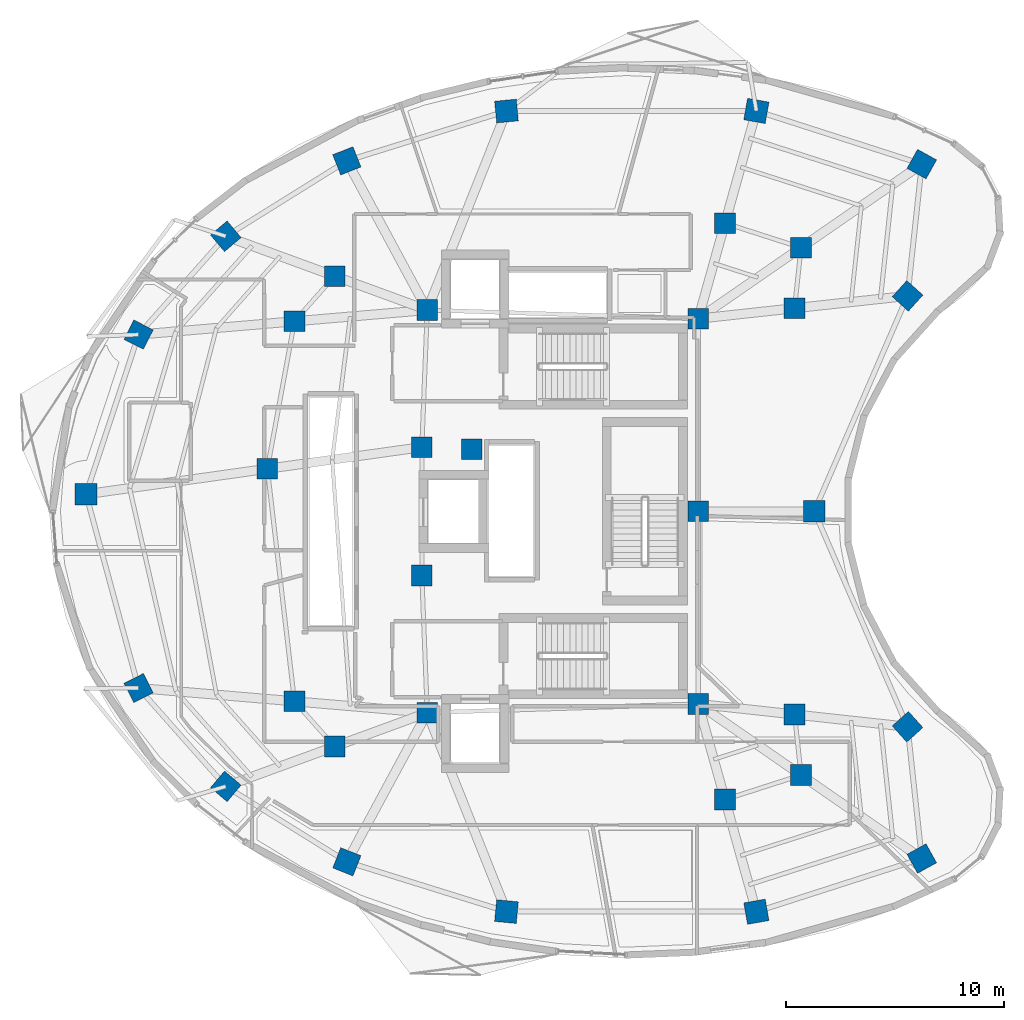
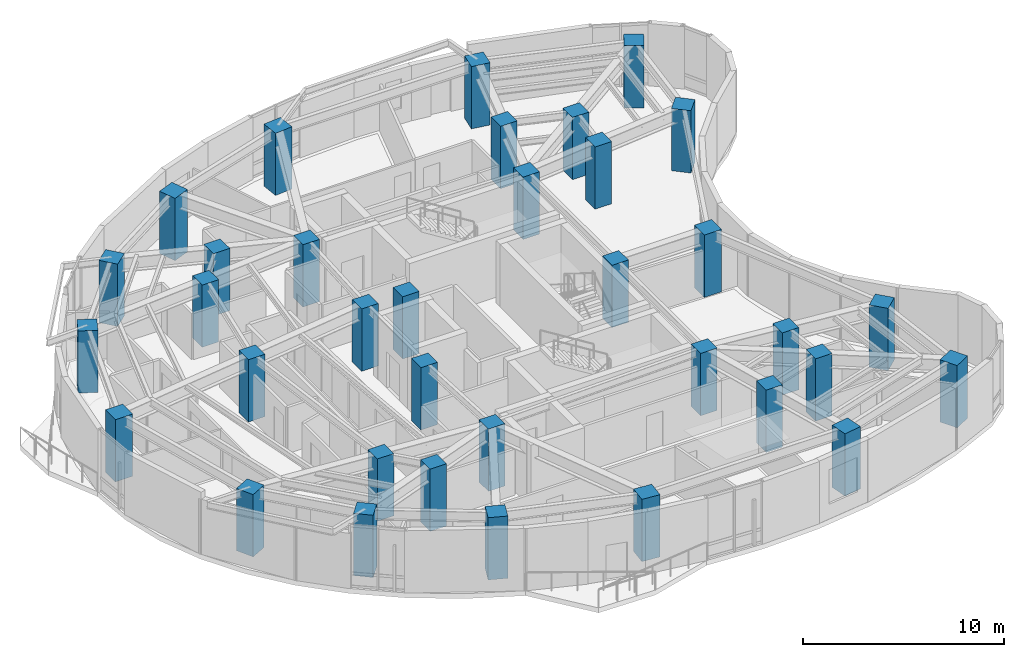
# One storey, part 1 of 13: 35 columns.
"""IFC4 building model written with IfcOpenShell, lengths in metres."""

from ifc_helpers import new_model, si_unit, direction, frame, origin, origin_2d, place, context, subcontext, project, spatial, rectangle, extrude, material, material_profile, profile_set, type_object, element, save


model = new_model("IFC4")

# Units and contexts
model_context = context("Model", 3, precision=1e-05, world=origin(), true_north=direction((0.0, 1.0)))
body_context = subcontext(model_context, "Body", "Model", "MODEL_VIEW")
ifc_project = project(units=[si_unit("LENGTHUNIT", "METRE"), si_unit("AREAUNIT", "SQUARE_METRE"), si_unit("VOLUMEUNIT", "CUBIC_METRE"), si_unit("PLANEANGLEUNIT", "RADIAN"), si_unit("MASSUNIT", "GRAM", prefix="KILO")], contexts=[model_context])

# Site, building, storey
site_placement = place(None, origin())
site = spatial("IfcSite", under=ifc_project, at=site_placement, CompositionType="ELEMENT")
building_placement = place(site_placement, origin())
building = spatial("IfcBuilding", under=site, at=building_placement, Name="Korentha Bioscience Tower", CompositionType="ELEMENT")
storey_placement = place(building_placement, frame((0.0, 0.0, 162.60009765625)))
storey = spatial("IfcBuildingStorey", under=building, at=storey_placement, Name="L37", CompositionType="ELEMENT", Elevation=162.60009765625)

# Columns
ifc_material = material(Name="Concrete C65", Category="concrete")
ifc_material_profile_1 = material_profile(ifc_material, rectangle(XDim=0.949951171875, YDim=0.949951171875, at=origin_2d()), Name="Concrete C65")
ifc_profile_set_1 = profile_set([ifc_material_profile_1], Name="Concrete C65 (COL-CP09)")
column_type_1 = type_object("IfcColumnType", Name="Core Pilaster Column RC 950x950", PredefinedType="PILASTER", material=ifc_profile_set_1)
for number, where, z_axis, x_axis, name in (
    (1, (37.550048828125, 35.85009765625, -0.00048828125), (0.0, 0.0, 1.0), (1.0, 0.0, 0.0), "L37 Core Pilaster CP-01"),
    (2, (25.10009765625, 36.25, -0.00048828125), (0.0, 0.0, 1.0), (1.0, 0.0, 0.0), "L37 Core Pilaster CP-02"),
    (3, (24.85009765625, 29.949951171875, -0.00048828125), (0.0, 0.0, 1.0), (1.0, 0.0, 0.0), "L37 Core Pilaster CP-03"),
    (4, (27.14990234375, 29.85009765625, -0.00048828125), (0.0, 0.0, 1.0), (1.0, 0.0, 0.0), "L37 Core Pilaster CP-04"),
    (5, (24.85009765625, 24.050048828125, -0.00048828125), (0.0, 0.0, 1.0), (1.0, 0.0, 0.0), "L37 Core Pilaster CP-05"),
    (6, (25.10009765625, 17.75, -0.00048828125), (0.0, 0.0, 1.0), (1.0, 0.0, 0.0), "L37 Core Pilaster CP-06"),
    (7, (37.550048828125, 18.14990234375, -0.00048828125), (0.0, 0.0, 1.0), (1.0, 0.0, 0.0), "L37 Core Pilaster CP-07"),
    (8, (37.550048828125, 27.0, -0.00048828125), (0.0, 0.0, 1.0), (1.0, 0.0, 0.0), "L37 Core Pilaster CP-08"),
):
    element("IfcColumn", number, at=place(storey_placement, frame(where, z_axis=z_axis, x_axis=x_axis)), inside=storey, type_object=column_type_1, Name=name, PredefinedType="PILASTER", context=body_context, shape_type="SweptSolid", body=[
        extrude(rectangle(XDim=0.949951171875, YDim=0.949951171875, at=origin_2d()), origin(), (0.0, 0.0, 1.0), 3.790771484375),
    ])
ifc_material_profile_2 = material_profile(ifc_material, rectangle(XDim=0.949951171875, YDim=0.949951171875, at=origin_2d()), Name="Concrete C65")
ifc_profile_set_2 = profile_set([ifc_material_profile_2], Name="Concrete C65 (COL-MR09)")
column_type_2 = type_object("IfcColumnType", Name="Mid-Ring Lab Column RC 950x950", PredefinedType="COLUMN", material=ifc_profile_set_2)
for number, where, z_axis, x_axis, name in (
    (9, (42.274658203125, 39.1171875, -0.00048828125), (0.0, 0.0, 1.0), (1.0, 0.0, 0.0), "L37 Mid-Ring Column 01"),
    (10, (38.77880859375, 40.2412109375, -0.00048828125), (0.0, 0.0, 1.0), (1.0, 0.0, 0.0), "L37 Mid-Ring Column 02"),
    (11, (20.84228515625, 37.807861328125, -0.00048828125), (0.0, 0.0, 1.0), (1.0, 0.0, 0.0), "L37 Mid-Ring Column 05"),
    (12, (18.99951171875, 35.72998046875, -0.00048828125), (0.0, 0.0, 1.0), (1.0, 0.0, 0.0), "L37 Mid-Ring Column 06"),
    (13, (17.75341796875, 28.95458984375, -0.00048828125), (0.0, 0.0, 1.0), (1.0, 0.0, 0.0), "L37 Mid-Ring Column 07"),
    (14, (18.99951171875, 18.27001953125, -0.00048828125), (0.0, 0.0, 1.0), (1.0, 0.0, 0.0), "L37 Mid-Ring Column 08"),
    (15, (20.84228515625, 16.192138671875, -0.00048828125), (0.0, 0.0, 1.0), (1.0, 0.0, 0.0), "L37 Mid-Ring Column 09"),
    (16, (38.77880859375, 13.7587890625, -0.00048828125), (0.0, 0.0, 1.0), (1.0, 0.0, 0.0), "L37 Mid-Ring Column 12"),
    (17, (42.274658203125, 14.8828125, -0.00048828125), (0.0, 0.0, 1.0), (1.0, 0.0, 0.0), "L37 Mid-Ring Column 13"),
    (18, (41.97412109375, 17.66796875, -0.00048828125), (0.0, 0.0, 1.0), (1.0, 0.0, 0.0), "L37 Mid-Ring Column 14"),
    (19, (41.97412109375, 36.33203125, -0.00048828125), (0.0, 0.0, 1.0), (1.0, 0.0, 0.0), "L37 Mid-Ring Column 16"),
):
    element("IfcColumn", number, at=place(storey_placement, frame(where, z_axis=z_axis, x_axis=x_axis)), inside=storey, type_object=column_type_2, Name=name, PredefinedType="COLUMN", context=body_context, shape_type="SweptSolid", body=[
        extrude(rectangle(XDim=0.949951171875, YDim=0.949951171875, at=origin_2d()), origin(), (0.0, 0.0, 1.0), 3.790771484375),
    ])
ifc_material_profile_3 = material_profile(ifc_material, rectangle(XDim=1.0, YDim=1.0, at=origin_2d()), Name="Concrete C65")
ifc_profile_set_3 = profile_set([ifc_material_profile_3], Name="Concrete C65 (COL-P10)")
column_type_3 = type_object("IfcColumnType", Name="Perimeter Column RC 1000x1000", PredefinedType="COLUMN", material=ifc_profile_set_3)
for number, where, z_axis, x_axis, name in (
    (20, (47.821044921875, 42.95263671875, -0.00048828125), (0.0, 0.0, 1.0), (-0.874535078577, 0.484962262797, 0.0), "L37 Perimeter Column 01"),
    (21, (40.22119140625, 45.39599609375, -0.00048828125), (0.0, 0.0, 1.0), (-0.984868307662, 0.173304404339, 0.0), "L37 Perimeter Column 02"),
    (22, (28.739501953125, 45.390380859375, -0.00048828125), (0.0, 0.0, 1.0), (0.995462868748, 0.095150811579, 0.0), "L37 Perimeter Column 03"),
    (23, (21.405517578125, 43.102783203125, -0.00048828125), (0.0, 0.0, 1.0), (0.930225540858, 0.366988341962, 0.0), "L37 Perimeter Column 04"),
    (24, (15.843994140625, 39.63671875, -0.00048828125), (0.0, 0.0, 1.0), (0.764246456939, 0.644924300253, 0.0), "L37 Perimeter Column 05"),
    (25, (11.837890625, 35.119384765625, -0.00048828125), (0.0, 0.0, 1.0), (0.453057191132, 0.891481453292, 0.0), "L37 Perimeter Column 06"),
    (26, (9.422607421875, 27.785888671875, -0.00048828125), (0.0, 0.0, 1.0), (0.0, 1.0, 0.0), "L37 Perimeter Column 07"),
    (27, (11.837890625, 18.880615234375, -0.00048828125), (0.0, 0.0, 1.0), (-0.453057191132, 0.891481453292, 0.0), "L37 Perimeter Column 08"),
    (28, (15.843994140625, 14.36328125, -0.00048828125), (0.0, 0.0, 1.0), (-0.764246456939, 0.644924300253, 0.0), "L37 Perimeter Column 09"),
    (29, (21.405517578125, 10.897216796875, -0.00048828125), (0.0, 0.0, 1.0), (-0.930225540858, 0.366988341962, 0.0), "L37 Perimeter Column 10"),
    (30, (28.739501953125, 8.609619140625, -0.00048828125), (0.0, 0.0, 1.0), (-0.995462868748, 0.095150811579, 0.0), "L37 Perimeter Column 11"),
    (31, (40.22119140625, 8.60400390625, -0.00048828125), (0.0, 0.0, 1.0), (0.984868307662, 0.173304404339, 0.0), "L37 Perimeter Column 12"),
    (32, (47.821044921875, 11.04736328125, -0.00048828125), (0.0, 0.0, 1.0), (0.874535078577, 0.484962262797, 0.0), "L37 Perimeter Column 13"),
    (33, (47.16748046875, 17.10205078125, -0.00048828125), (0.0, 0.0, 1.0), (-0.669130606359, 0.743144825477, 0.0), "L37 Perimeter Column 14"),
    (34, (42.8818359375, 27.0, -0.00048828125), (0.0, 0.0, 1.0), (0.0, 1.0, 0.0), "L37 Perimeter Column 15"),
    (35, (47.16748046875, 36.89794921875, -0.00048828125), (0.0, 0.0, 1.0), (0.669130606359, 0.743144825477, 0.0), "L37 Perimeter Column 16"),
):
    element("IfcColumn", number, at=place(storey_placement, frame(where, z_axis=z_axis, x_axis=x_axis)), inside=storey, type_object=column_type_3, Name=name, PredefinedType="COLUMN", context=body_context, shape_type="SweptSolid", body=[
        extrude(rectangle(XDim=1.0, YDim=1.0, at=origin_2d()), origin(), (0.0, 0.0, 1.0), 3.790771484375),
    ])

save(model, "model.ifc")
